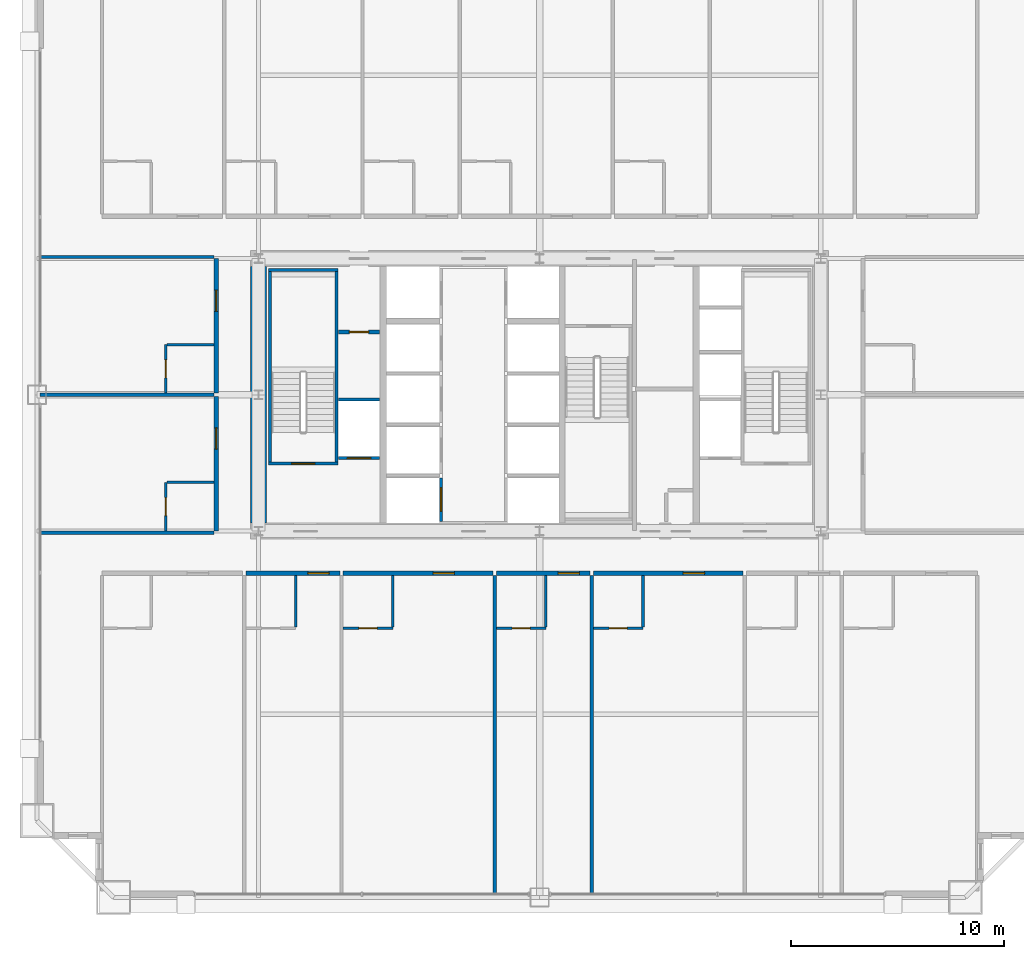
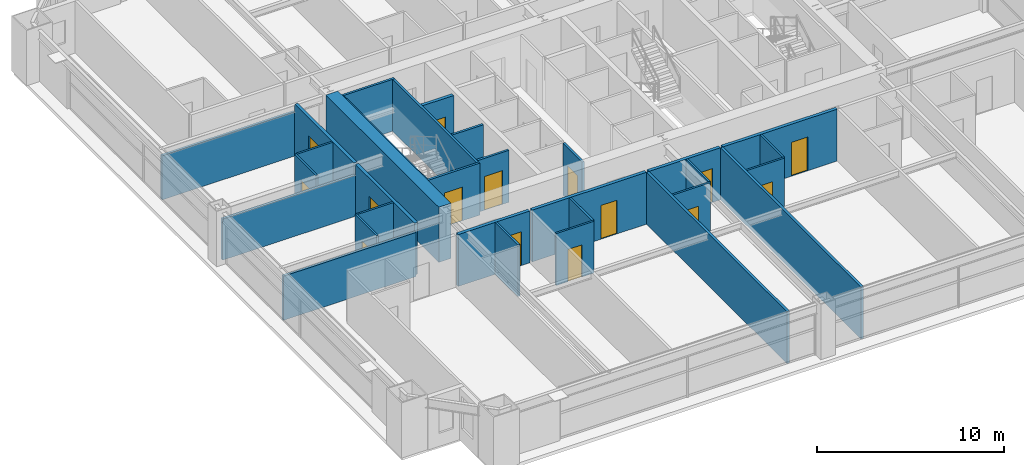
# One storey, part 34 of 38: 31 walls, 15 doors, 15 openings.
"""IFC4 building model written with IfcOpenShell, lengths in metres."""

from ifc_helpers import new_model, si_unit, direction, frame, frame_2d, origin, place, context, subcontext, project, spatial, rectangle, extrude, source, transform, mapped, material, layer, layer_set, type_object, element, fill, save


model = new_model("IFC4")

# Units and contexts
model_context = context("Model", 3, precision=1e-05, world=origin(), true_north=direction((0.0, 1.0)))
body_context = subcontext(model_context, "Body", "Model", "MODEL_VIEW")
ifc_project = project(units=[si_unit("LENGTHUNIT", "METRE"), si_unit("AREAUNIT", "SQUARE_METRE"), si_unit("VOLUMEUNIT", "CUBIC_METRE"), si_unit("PLANEANGLEUNIT", "RADIAN"), si_unit("MASSUNIT", "GRAM", prefix="KILO"), si_unit("THERMODYNAMICTEMPERATUREUNIT", "KELVIN"), si_unit("POWERUNIT", "WATT")], contexts=[model_context])

# Site, building, storey
site_placement = place(None, origin())
site = spatial("IfcSite", under=ifc_project, at=site_placement, CompositionType="ELEMENT")
building_placement = place(site_placement, origin())
building = spatial("IfcBuilding", under=site, at=building_placement, Name="Yuzanri Waterfront Tower", CompositionType="ELEMENT")
storey_placement = place(building_placement, frame((0.0, 0.0, 90.199951171875)))
storey = spatial("IfcBuildingStorey", under=building, at=storey_placement, Name="L23", CompositionType="ELEMENT", Elevation=90.199951171875)

# Wall, opening, door
ifc_material_1 = material(Name="Moisture-Resistant Gypsum Stud Wall", Category="gypsum")
ifc_layer_1 = layer(ifc_material_1, 0.1201171875)
ifc_layer_set_1 = layer_set([ifc_layer_1], Name="Moisture-Resistant Gypsum Stud Wall")
wall_type_1 = type_object("IfcWallType", Name="Bathroom and Kitchen Wet Partition 120", PredefinedType="PARTITIONING", material=ifc_layer_set_1)
wall_1_placement = place(storey_placement, frame((27.77490234375, 14.840087890625, 0.0), z_axis=(0.0, 0.0, 1.0), x_axis=(1.0, 0.0, 0.0)))
wall_1 = element("IfcWall", 1, at=wall_1_placement, inside=storey, type_object=wall_type_1, Name="L23 Partition UW-L23-S3-BS", PredefinedType="PARTITIONING", context=body_context, shape_type="SweptSolid", body=[
    extrude(rectangle(XDim=2.330078125, YDim=0.1201171875, at=frame_2d((1.1650390625, 0.0))), origin(), (0.0, 0.0, 1.0), 3.380126953125),
])
opening_1_placement = place(wall_1_placement, frame((0.739990234375, 0.0, 0.0)))
opening_1 = element("IfcOpeningElement", 2, at=opening_1_placement, cuts=wall_1, Name="Opening ID-0850", PredefinedType="OPENING", context=body_context, shape_type="SweptSolid", body=[
    extrude(rectangle(XDim=0.85009765625, YDim=2.10009765625, at=frame_2d((0.425048828125, 1.050048828125))), frame((0.0, 0.074951171875, 0.0), z_axis=(0.0, -1.0, 0.0), x_axis=(1.0, 0.0, 0.0)), (0.0, 0.0, 1.0), 0.14990234375),
])
ifc_material_2 = material(Name="Moisture-Resistant Lacquered Timber", Category="wood")
door_type_1 = type_object("IfcDoorType", Name="En-Suite Bathroom and Kitchen Swing Door 850x2100", OperationType="NOTDEFINED", PredefinedType="DOOR", material=ifc_material_2)
shared_shape_1 = source(origin(), body_context, "Body", "SweptSolid", [
    extrude(rectangle(XDim=0.85009765625, YDim=2.10009765625, at=frame_2d((0.425048828125, 1.050048828125))), frame((0.0, 0.02490234375, 0.0), z_axis=(0.0, -1.0, 0.0), x_axis=(1.0, 0.0, 0.0)), (0.0, 0.0, 1.0), 0.050048828125),
])
door_1_placement = place(opening_1_placement, origin())
door_1 = element("IfcDoor", 3, at=door_1_placement, inside=storey, type_object=door_type_1, Name="L23 Guest En-Suite Door", OperationType="SINGLE_SWING_LEFT", OverallHeight=2.10009765625, OverallWidth=0.85009765625, PredefinedType="DOOR", context=body_context, shape_type="MappedRepresentation", body=[
    mapped(shared_shape_1, transform((0.0, 0.0, 0.0), scale=1.0)),
])
fill(opening_1, door_1)

wall_2_placement = place(storey_placement, frame((34.965087890625, 14.840087890625, 0.0), z_axis=(0.0, 0.0, 1.0), x_axis=(1.0, 0.0, 0.0)))
wall_2 = element("IfcWall", 4, at=wall_2_placement, inside=storey, type_object=wall_type_1, Name="L23 Partition UW-L23-S4-BS", PredefinedType="PARTITIONING", context=body_context, shape_type="SweptSolid", body=[
    extrude(rectangle(XDim=2.328857421875, YDim=0.1201171875, at=frame_2d((1.16455078125, 0.0))), origin(), (0.0, 0.0, 1.0), 3.380126953125),
])
opening_2_placement = place(wall_2_placement, frame((0.739501953125, 0.0, 0.0)))
opening_2 = element("IfcOpeningElement", 5, at=opening_2_placement, cuts=wall_2, Name="Opening ID-0850", PredefinedType="OPENING", context=body_context, shape_type="SweptSolid", body=[
    extrude(rectangle(XDim=0.85009765625, YDim=2.10009765625, at=frame_2d((0.425048828125, 1.050048828125))), frame((0.0, 0.074951171875, 0.0), z_axis=(0.0, -1.0, 0.0), x_axis=(1.0, 0.0, 0.0)), (0.0, 0.0, 1.0), 0.14990234375),
])
door_2_placement = place(opening_2_placement, origin())
door_2 = element("IfcDoor", 6, at=door_2_placement, inside=storey, type_object=door_type_1, Name="L23 Guest En-Suite Door", OperationType="SINGLE_SWING_LEFT", OverallHeight=2.10009765625, OverallWidth=0.85009765625, PredefinedType="DOOR", context=body_context, shape_type="MappedRepresentation", body=[
    mapped(shared_shape_1, transform((0.0, 0.0, 0.0), scale=1.0)),
])
fill(opening_2, door_2)

wall_3_placement = place(storey_placement, frame((39.52392578125, 14.840087890625, 0.0), z_axis=(0.0, 0.0, 1.0), x_axis=(1.0, 0.0, 0.0)))
wall_3 = element("IfcWall", 7, at=wall_3_placement, inside=storey, type_object=wall_type_1, Name="L23 Partition UW-L23-S5-BS", PredefinedType="PARTITIONING", context=body_context, shape_type="SweptSolid", body=[
    extrude(rectangle(XDim=2.330078125, YDim=0.1201171875, at=frame_2d((1.1650390625, 0.0))), origin(), (0.0, 0.0, 1.0), 3.380126953125),
])
opening_3_placement = place(wall_3_placement, frame((0.739990234375, 0.0, 0.0)))
opening_3 = element("IfcOpeningElement", 8, at=opening_3_placement, cuts=wall_3, Name="Opening ID-0850", PredefinedType="OPENING", context=body_context, shape_type="SweptSolid", body=[
    extrude(rectangle(XDim=0.85009765625, YDim=2.10009765625, at=frame_2d((0.425048828125, 1.050048828125))), frame((0.0, 0.074951171875, 0.0), z_axis=(0.0, -1.0, 0.0), x_axis=(1.0, 0.0, 0.0)), (0.0, 0.0, 1.0), 0.14990234375),
])
door_3_placement = place(opening_3_placement, origin())
door_3 = element("IfcDoor", 9, at=door_3_placement, inside=storey, type_object=door_type_1, Name="L23 Guest En-Suite Door", OperationType="SINGLE_SWING_LEFT", OverallHeight=2.10009765625, OverallWidth=0.85009765625, PredefinedType="DOOR", context=body_context, shape_type="MappedRepresentation", body=[
    mapped(shared_shape_1, transform((0.0, 0.0, 0.0), scale=1.0)),
])
fill(opening_3, door_3)

wall_4_placement = place(storey_placement, frame((19.43994140625, 19.409912109375, 0.0), z_axis=(0.0, 0.0, 1.0), x_axis=(0.0, 1.0, 0.0)))
wall_4 = element("IfcWall", 10, at=wall_4_placement, inside=storey, type_object=wall_type_1, Name="L23 Partition UW-L23-W1-BW", PredefinedType="PARTITIONING", context=body_context, shape_type="SweptSolid", body=[
    extrude(rectangle(XDim=2.280029296875, YDim=0.1201171875, at=frame_2d((1.14013671875, 0.0))), origin(), (0.0, 0.0, 1.0), 3.380126953125),
])
opening_4_placement = place(wall_4_placement, frame((0.715087890625, 0.0, 0.0)))
opening_4 = element("IfcOpeningElement", 11, at=opening_4_placement, cuts=wall_4, Name="Opening ID-0850", PredefinedType="OPENING", context=body_context, shape_type="SweptSolid", body=[
    extrude(rectangle(XDim=0.85009765625, YDim=2.10009765625, at=frame_2d((0.425048828125, 1.050048828125))), frame((0.0, 0.074951171875, 0.0), z_axis=(0.0, -1.0, 0.0), x_axis=(1.0, 0.0, 0.0)), (0.0, 0.0, 1.0), 0.14990234375),
])
door_4_placement = place(opening_4_placement, origin())
door_4 = element("IfcDoor", 12, at=door_4_placement, inside=storey, type_object=door_type_1, Name="L23 Guest En-Suite Door", OperationType="SINGLE_SWING_LEFT", OverallHeight=2.10009765625, OverallWidth=0.85009765625, PredefinedType="DOOR", context=body_context, shape_type="MappedRepresentation", body=[
    mapped(shared_shape_1, transform((0.0, 0.0, 0.0), scale=1.0)),
])
fill(opening_4, door_4)

wall_5_placement = place(storey_placement, frame((19.43994140625, 25.8798828125, 0.0), z_axis=(0.0, 0.0, 1.0), x_axis=(0.0, 1.0, 0.0)))
wall_5 = element("IfcWall", 13, at=wall_5_placement, inside=storey, type_object=wall_type_1, Name="L23 Partition UW-L23-W2-BW", PredefinedType="PARTITIONING", context=body_context, shape_type="SweptSolid", body=[
    extrude(rectangle(XDim=2.280029296875, YDim=0.1201171875, at=frame_2d((1.14013671875, 0.0))), origin(), (0.0, 0.0, 1.0), 3.380126953125),
])
opening_5_placement = place(wall_5_placement, frame((0.715087890625, 0.0, 0.0)))
opening_5 = element("IfcOpeningElement", 14, at=opening_5_placement, cuts=wall_5, Name="Opening ID-0850", PredefinedType="OPENING", context=body_context, shape_type="SweptSolid", body=[
    extrude(rectangle(XDim=0.85009765625, YDim=2.10009765625, at=frame_2d((0.425048828125, 1.050048828125))), frame((0.0, 0.074951171875, 0.0), z_axis=(0.0, -1.0, 0.0), x_axis=(1.0, 0.0, 0.0)), (0.0, 0.0, 1.0), 0.14990234375),
])
door_5_placement = place(opening_5_placement, origin())
door_5 = element("IfcDoor", 15, at=door_5_placement, inside=storey, type_object=door_type_1, Name="L23 Guest En-Suite Door", OperationType="SINGLE_SWING_LEFT", OverallHeight=2.10009765625, OverallWidth=0.85009765625, PredefinedType="DOOR", context=body_context, shape_type="MappedRepresentation", body=[
    mapped(shared_shape_1, transform((0.0, 0.0, 0.0), scale=1.0)),
])
fill(opening_5, door_5)

ifc_material_3 = material(Name="Concrete C40", Category="concrete")
ifc_layer_2 = layer(ifc_material_3, 0.139892578125)
ifc_layer_set_2 = layer_set([ifc_layer_2], Name="Concrete C40")
wall_type_2 = type_object("IfcWallType", Name="Core Stair Liner and Hoistway Shaft Wall 140", PredefinedType="SOLIDWALL", material=ifc_layer_set_2)
wall_6_placement = place(storey_placement, frame((27.56005859375, 22.830078125, 0.0), z_axis=(0.0, 0.0, 1.0), x_axis=(1.0, 0.0, 0.0)))
wall_6 = element("IfcWall", 16, at=wall_6_placement, inside=storey, type_object=wall_type_2, Name="L23 Lift FL-01 Front Shaft Wall", PredefinedType="SOLIDWALL", context=body_context, shape_type="SweptSolid", body=[
    extrude(rectangle(XDim=1.919921875, YDim=0.139892578125, at=frame_2d((0.9599609375, 0.0))), origin(), (0.0, 0.0, 1.0), 3.380126953125),
])
opening_6_placement = place(wall_6_placement, frame((0.409912109375, 0.0, 0.0)))
opening_6 = element("IfcOpeningElement", 17, at=opening_6_placement, cuts=wall_6, Name="Opening LD-FL-01", PredefinedType="OPENING", context=body_context, shape_type="SweptSolid", body=[
    extrude(rectangle(XDim=1.10009765625, YDim=2.199951171875, at=frame_2d((0.550048828125, 1.10009765625))), frame((0.0, 0.0849609375, 0.0), z_axis=(0.0, -1.0, 0.0), x_axis=(1.0, 0.0, 0.0)), (0.0, 0.0, 1.0), 0.169677734375),
])
ifc_material_4 = material(Name="Brushed Bronze and Stainless Steel Cab", Category="steel")
door_type_2 = type_object("IfcDoorType", Name="Center-Parting Bronze Lift Landing Sliding Door 1100x2200", OperationType="NOTDEFINED", PredefinedType="DOOR", material=ifc_material_4)
shared_shape_2 = source(origin(), body_context, "Body", "SweptSolid", [
    extrude(rectangle(XDim=1.10009765625, YDim=2.199951171875, at=frame_2d((0.550048828125, 1.10009765625))), frame((0.0, 0.02490234375, 0.0), z_axis=(0.0, -1.0, 0.0), x_axis=(1.0, 0.0, 0.0)), (0.0, 0.0, 1.0), 0.050048828125),
])
door_6_placement = place(opening_6_placement, origin())
door_6 = element("IfcDoor", 18, at=door_6_placement, inside=storey, type_object=door_type_2, Name="L23 FL-01 Lift Landing Sliding Door", OperationType="SLIDING_TO_LEFT", OverallHeight=2.199951171875, OverallWidth=1.10009765625, PredefinedType="DOOR", context=body_context, shape_type="MappedRepresentation", body=[
    mapped(shared_shape_2, transform((0.0, 0.0, 0.0), scale=1.0)),
])
fill(opening_6, door_6)

wall_7_placement = place(storey_placement, frame((32.3701171875, 19.860107421875, 0.0), z_axis=(0.0, 0.0, 1.0), x_axis=(0.0, 1.0, 0.0)))
wall_7 = element("IfcWall", 19, at=wall_7_placement, inside=storey, type_object=wall_type_2, Name="L23 Lift PL-01 Front Shaft Wall", PredefinedType="SOLIDWALL", context=body_context, shape_type="SweptSolid", body=[
    extrude(rectangle(XDim=2.039794921875, YDim=0.139892578125, at=frame_2d((1.02001953125, 0.0))), origin(), (0.0, 0.0, 1.0), 3.380126953125),
])
opening_7_placement = place(wall_7_placement, frame((0.469970703125, 0.0, 0.0)))
opening_7 = element("IfcOpeningElement", 20, at=opening_7_placement, cuts=wall_7, Name="Opening LD-PL-01", PredefinedType="OPENING", context=body_context, shape_type="SweptSolid", body=[
    extrude(rectangle(XDim=1.10009765625, YDim=2.199951171875, at=frame_2d((0.550048828125, 1.10009765625))), frame((0.0, 0.0849609375, 0.0), z_axis=(0.0, -1.0, 0.0), x_axis=(1.0, 0.0, 0.0)), (0.0, 0.0, 1.0), 0.169677734375),
])
door_7_placement = place(opening_7_placement, origin())
door_7 = element("IfcDoor", 21, at=door_7_placement, inside=storey, type_object=door_type_2, Name="L23 PL-01 Lift Landing Sliding Door", OperationType="SLIDING_TO_LEFT", OverallHeight=2.199951171875, OverallWidth=1.10009765625, PredefinedType="DOOR", context=body_context, shape_type="MappedRepresentation", body=[
    mapped(shared_shape_2, transform((0.0, 0.0, 0.0), scale=1.0)),
])
fill(opening_7, door_7)

wall_8_placement = place(storey_placement, frame((24.260009765625, 22.570068359375, 0.0), z_axis=(0.0, 0.0, 1.0), x_axis=(1.0, 0.0, 0.0)))
wall_8 = element("IfcWall", 22, at=wall_8_placement, inside=storey, type_object=wall_type_2, Name="L23 Shaft Wall STW-L23-ST-01-S", PredefinedType="SOLIDWALL", context=body_context, shape_type="SweptSolid", body=[
    extrude(rectangle(XDim=3.280029296875, YDim=0.139892578125, at=frame_2d((1.64013671875, 0.0))), origin(), (0.0, 0.0, 1.0), 3.380126953125),
])
opening_8_placement = place(wall_8_placement, frame((1.090087890625, 0.0, 0.0)))
opening_8 = element("IfcOpeningElement", 23, at=opening_8_placement, cuts=wall_8, Name="Opening FD-1100", PredefinedType="OPENING", context=body_context, shape_type="SweptSolid", body=[
    extrude(rectangle(XDim=1.10009765625, YDim=2.199951171875, at=frame_2d((0.550048828125, 1.10009765625))), frame((0.0, 0.0849609375, 0.0), z_axis=(0.0, -1.0, 0.0), x_axis=(1.0, 0.0, 0.0)), (0.0, 0.0, 1.0), 0.169677734375),
])
ifc_material_5 = material(Name="Painted Galvanized Fire Steel", Category="steel")
door_type_3 = type_object("IfcDoorType", Name="Smoke-Proof Stair and Lobby Fire Door 1100x2200", OperationType="NOTDEFINED", PredefinedType="DOOR", material=ifc_material_5)
shared_shape_3 = source(origin(), body_context, "Body", "SweptSolid", [
    extrude(rectangle(XDim=1.10009765625, YDim=2.199951171875, at=frame_2d((0.550048828125, 1.10009765625))), frame((0.0, 0.02490234375, 0.0), z_axis=(0.0, -1.0, 0.0), x_axis=(1.0, 0.0, 0.0)), (0.0, 0.0, 1.0), 0.050048828125),
])
door_8_placement = place(opening_8_placement, origin())
door_8 = element("IfcDoor", 24, at=door_8_placement, inside=storey, type_object=door_type_3, Name="L23 Stair ST-01 Fire Door", OperationType="SINGLE_SWING_LEFT", OverallHeight=2.199951171875, OverallWidth=1.10009765625, PredefinedType="DOOR", context=body_context, shape_type="MappedRepresentation", body=[
    mapped(shared_shape_3, transform((0.0, 0.0, 0.0), scale=1.0)),
])
fill(opening_8, door_8)

ifc_material_6 = material(Name="Autoclaved Aerated Concrete Blockwork", Category="masonry")
ifc_layer_3 = layer(ifc_material_6, 0.199951171875)
ifc_layer_set_3 = layer_set([ifc_layer_3], Name="Autoclaved Aerated Concrete Blockwork")
wall_type_3 = type_object("IfcWallType", Name="Corridor and Unit Party Fire Wall 200", PredefinedType="PARTITIONING", material=ifc_layer_set_3)
wall_9_placement = place(storey_placement, frame((27.56005859375, 28.75, 0.0), z_axis=(0.0, 0.0, 1.0), x_axis=(1.0, 0.0, 0.0)))
wall_9 = element("IfcWall", 25, at=wall_9_placement, inside=storey, type_object=wall_type_3, Name="L23 Partition CRW-L23-ERTR", PredefinedType="PARTITIONING", context=body_context, shape_type="SweptSolid", body=[
    extrude(rectangle(XDim=1.919921875, YDim=0.199951171875, at=frame_2d((0.9599609375, 0.0))), origin(), (0.0, 0.0, 1.0), 3.380126953125),
])
opening_9_placement = place(wall_9_placement, frame((0.510009765625, 0.0, 0.0)))
opening_9 = element("IfcOpeningElement", 26, at=opening_9_placement, cuts=wall_9, Name="Opening FD-0900", PredefinedType="OPENING", context=body_context, shape_type="SweptSolid", body=[
    extrude(rectangle(XDim=0.89990234375, YDim=2.14990234375, at=frame_2d((0.449951171875, 1.074951171875))), frame((0.0, 0.11474609375, 0.0), z_axis=(0.0, -1.0, 0.0), x_axis=(1.0, 0.0, 0.0)), (0.0, 0.0, 1.0), 0.229736328125),
])
ifc_material_7 = material(Name="Painted Galvanized Fire Steel", Category="steel")
door_type_4 = type_object("IfcDoorType", Name="Riser and Service Room Fire Door 900x2150", OperationType="NOTDEFINED", PredefinedType="DOOR", material=ifc_material_7)
shared_shape_4 = source(origin(), body_context, "Body", "SweptSolid", [
    extrude(rectangle(XDim=0.89990234375, YDim=2.14990234375, at=frame_2d((0.449951171875, 1.074951171875))), frame((0.0, 0.02490234375, 0.0), z_axis=(0.0, -1.0, 0.0), x_axis=(1.0, 0.0, 0.0)), (0.0, 0.0, 1.0), 0.050048828125),
])
door_9_placement = place(opening_9_placement, origin())
door_9 = element("IfcDoor", 27, at=door_9_placement, inside=storey, type_object=door_type_4, Name="L23 Electrical Riser Door", OperationType="SINGLE_SWING_RIGHT", OverallHeight=2.14990234375, OverallWidth=0.89990234375, PredefinedType="DOOR", context=body_context, shape_type="MappedRepresentation", body=[
    mapped(shared_shape_4, transform((0.0, 0.0, 0.0), scale=1.0)),
])
fill(opening_9, door_9)

wall_10_placement = place(storey_placement, frame((23.217041015625, 17.419921875, 0.0), z_axis=(0.0, 0.0, 1.0), x_axis=(1.0, 0.0, 0.0)))
wall_10 = element("IfcWall", 28, at=wall_10_placement, inside=storey, type_object=wall_type_3, Name="L23 Partition UW-L23-S2-CN", PredefinedType="PARTITIONING", context=body_context, shape_type="SweptSolid", body=[
    extrude(rectangle(XDim=4.39794921875, YDim=0.199951171875, at=frame_2d((2.198974609375, 0.0))), origin(), (0.0, 0.0, 1.0), 3.380126953125),
])
opening_10_placement = place(wall_10_placement, frame((2.903076171875, 0.0, 0.0)))
opening_10 = element("IfcOpeningElement", 29, at=opening_10_placement, cuts=wall_10, Name="Opening FD-1000", PredefinedType="OPENING", context=body_context, shape_type="SweptSolid", body=[
    extrude(rectangle(XDim=1.0, YDim=2.199951171875, at=frame_2d((0.5, 1.10009765625))), frame((0.0, 0.11474609375, 0.0), z_axis=(0.0, -1.0, 0.0), x_axis=(1.0, 0.0, 0.0)), (0.0, 0.0, 1.0), 0.229736328125),
])
ifc_material_8 = material(Name="Engineered Oak Fire-Rated Timber", Category="wood")
door_type_5 = type_object("IfcDoorType", Name="Guestroom and Apartment Entrance Fire Door 1000x2200", OperationType="NOTDEFINED", PredefinedType="DOOR", material=ifc_material_8)
shared_shape_5 = source(origin(), body_context, "Body", "SweptSolid", [
    extrude(rectangle(XDim=1.0, YDim=2.199951171875, at=frame_2d((0.5, 1.10009765625))), frame((0.0, 0.02490234375, 0.0), z_axis=(0.0, -1.0, 0.0), x_axis=(1.0, 0.0, 0.0)), (0.0, 0.0, 1.0), 0.050048828125),
])
door_10_placement = place(opening_10_placement, origin())
door_10 = element("IfcDoor", 30, at=door_10_placement, inside=storey, type_object=door_type_5, Name="L23 Superior King Guest Room Entrance Door", OperationType="SINGLE_SWING_RIGHT", OverallHeight=2.199951171875, OverallWidth=1.0, PredefinedType="DOOR", context=body_context, shape_type="MappedRepresentation", body=[
    mapped(shared_shape_5, transform((0.0, 0.0, 0.0), scale=1.0)),
])
fill(opening_10, door_10)

wall_11_placement = place(storey_placement, frame((27.77490234375, 17.419921875, 0.0), z_axis=(0.0, 0.0, 1.0), x_axis=(1.0, 0.0, 0.0)))
wall_11 = element("IfcWall", 31, at=wall_11_placement, inside=storey, type_object=wall_type_3, Name="L23 Partition UW-L23-S3-CN", PredefinedType="PARTITIONING", context=body_context, shape_type="SweptSolid", body=[
    extrude(rectangle(XDim=7.030029296875, YDim=0.199951171875, at=frame_2d((3.51513671875, 0.0))), origin(), (0.0, 0.0, 1.0), 3.380126953125),
])
opening_11_placement = place(wall_11_placement, frame((4.219970703125, 0.0, 0.0)))
opening_11 = element("IfcOpeningElement", 32, at=opening_11_placement, cuts=wall_11, Name="Opening FD-1000", PredefinedType="OPENING", context=body_context, shape_type="SweptSolid", body=[
    extrude(rectangle(XDim=1.0, YDim=2.199951171875, at=frame_2d((0.5, 1.10009765625))), frame((0.0, 0.11474609375, 0.0), z_axis=(0.0, -1.0, 0.0), x_axis=(1.0, 0.0, 0.0)), (0.0, 0.0, 1.0), 0.229736328125),
])
door_11_placement = place(opening_11_placement, origin())
door_11 = element("IfcDoor", 33, at=door_11_placement, inside=storey, type_object=door_type_5, Name="L23 Superior King Junior Suite Entrance Door", OperationType="SINGLE_SWING_RIGHT", OverallHeight=2.199951171875, OverallWidth=1.0, PredefinedType="DOOR", context=body_context, shape_type="MappedRepresentation", body=[
    mapped(shared_shape_5, transform((0.0, 0.0, 0.0), scale=1.0)),
])
fill(opening_11, door_11)

wall_12_placement = place(storey_placement, frame((34.965087890625, 17.419921875, 0.0), z_axis=(0.0, 0.0, 1.0), x_axis=(1.0, 0.0, 0.0)))
wall_12 = element("IfcWall", 34, at=wall_12_placement, inside=storey, type_object=wall_type_3, Name="L23 Partition UW-L23-S4-CN", PredefinedType="PARTITIONING", context=body_context, shape_type="SweptSolid", body=[
    extrude(rectangle(XDim=4.39892578125, YDim=0.199951171875, at=frame_2d((2.199462890625, 0.0))), origin(), (0.0, 0.0, 1.0), 3.380126953125),
])
opening_12_placement = place(wall_12_placement, frame((2.904052734375, 0.0, 0.0)))
opening_12 = element("IfcOpeningElement", 35, at=opening_12_placement, cuts=wall_12, Name="Opening FD-1000", PredefinedType="OPENING", context=body_context, shape_type="SweptSolid", body=[
    extrude(rectangle(XDim=1.0, YDim=2.199951171875, at=frame_2d((0.5, 1.10009765625))), frame((0.0, 0.11474609375, 0.0), z_axis=(0.0, -1.0, 0.0), x_axis=(1.0, 0.0, 0.0)), (0.0, 0.0, 1.0), 0.229736328125),
])
door_12_placement = place(opening_12_placement, origin())
door_12 = element("IfcDoor", 36, at=door_12_placement, inside=storey, type_object=door_type_5, Name="L23 Superior King Guest Room Entrance Door", OperationType="SINGLE_SWING_RIGHT", OverallHeight=2.199951171875, OverallWidth=1.0, PredefinedType="DOOR", context=body_context, shape_type="MappedRepresentation", body=[
    mapped(shared_shape_5, transform((0.0, 0.0, 0.0), scale=1.0)),
])
fill(opening_12, door_12)

wall_13_placement = place(storey_placement, frame((39.52392578125, 17.419921875, 0.0), z_axis=(0.0, 0.0, 1.0), x_axis=(1.0, 0.0, 0.0)))
wall_13 = element("IfcWall", 37, at=wall_13_placement, inside=storey, type_object=wall_type_3, Name="L23 Partition UW-L23-S5-CN", PredefinedType="PARTITIONING", context=body_context, shape_type="SweptSolid", body=[
    extrude(rectangle(XDim=7.030029296875, YDim=0.199951171875, at=frame_2d((3.51513671875, 0.0))), origin(), (0.0, 0.0, 1.0), 3.380126953125),
])
opening_13_placement = place(wall_13_placement, frame((4.219970703125, 0.0, 0.0)))
opening_13 = element("IfcOpeningElement", 38, at=opening_13_placement, cuts=wall_13, Name="Opening FD-1000", PredefinedType="OPENING", context=body_context, shape_type="SweptSolid", body=[
    extrude(rectangle(XDim=1.0, YDim=2.199951171875, at=frame_2d((0.5, 1.10009765625))), frame((0.0, 0.11474609375, 0.0), z_axis=(0.0, -1.0, 0.0), x_axis=(1.0, 0.0, 0.0)), (0.0, 0.0, 1.0), 0.229736328125),
])
door_13_placement = place(opening_13_placement, origin())
door_13 = element("IfcDoor", 39, at=door_13_placement, inside=storey, type_object=door_type_5, Name="L23 Superior King Junior Suite Entrance Door", OperationType="SINGLE_SWING_RIGHT", OverallHeight=2.199951171875, OverallWidth=1.0, PredefinedType="DOOR", context=body_context, shape_type="MappedRepresentation", body=[
    mapped(shared_shape_5, transform((0.0, 0.0, 0.0), scale=1.0)),
])
fill(opening_13, door_13)

wall_14_placement = place(storey_placement, frame((21.820068359375, 19.409912109375, 0.0), z_axis=(0.0, 0.0, 1.0), x_axis=(0.0, 1.0, 0.0)))
wall_14 = element("IfcWall", 40, at=wall_14_placement, inside=storey, type_object=wall_type_3, Name="L23 Partition UW-L23-W1-CW", PredefinedType="PARTITIONING", context=body_context, shape_type="SweptSolid", body=[
    extrude(rectangle(XDim=6.31005859375, YDim=0.199951171875, at=frame_2d((3.155029296875, 0.0))), origin(), (0.0, 0.0, 1.0), 3.380126953125),
])
opening_14_placement = place(wall_14_placement, frame((3.8349609375, 0.0, 0.0)))
opening_14 = element("IfcOpeningElement", 41, at=opening_14_placement, cuts=wall_14, Name="Opening FD-1000", PredefinedType="OPENING", context=body_context, shape_type="SweptSolid", body=[
    extrude(rectangle(XDim=1.0, YDim=2.199951171875, at=frame_2d((0.5, 1.10009765625))), frame((0.0, 0.11474609375, 0.0), z_axis=(0.0, -1.0, 0.0), x_axis=(1.0, 0.0, 0.0)), (0.0, 0.0, 1.0), 0.229736328125),
])
door_14_placement = place(opening_14_placement, origin())
door_14 = element("IfcDoor", 42, at=door_14_placement, inside=storey, type_object=door_type_5, Name="L23 West Suite Entrance Door", OperationType="SINGLE_SWING_RIGHT", OverallHeight=2.199951171875, OverallWidth=1.0, PredefinedType="DOOR", context=body_context, shape_type="MappedRepresentation", body=[
    mapped(shared_shape_5, transform((0.0, 0.0, 0.0), scale=1.0)),
])
fill(opening_14, door_14)

wall_15_placement = place(storey_placement, frame((21.820068359375, 25.8798828125, 0.0), z_axis=(0.0, 0.0, 1.0), x_axis=(0.0, 1.0, 0.0)))
wall_15 = element("IfcWall", 43, at=wall_15_placement, inside=storey, type_object=wall_type_3, Name="L23 Partition UW-L23-W2-CW", PredefinedType="PARTITIONING", context=body_context, shape_type="SweptSolid", body=[
    extrude(rectangle(XDim=6.31005859375, YDim=0.199951171875, at=frame_2d((3.155029296875, 0.0))), origin(), (0.0, 0.0, 1.0), 3.380126953125),
])
opening_15_placement = place(wall_15_placement, frame((3.8349609375, 0.0, 0.0)))
opening_15 = element("IfcOpeningElement", 44, at=opening_15_placement, cuts=wall_15, Name="Opening FD-1000", PredefinedType="OPENING", context=body_context, shape_type="SweptSolid", body=[
    extrude(rectangle(XDim=1.0, YDim=2.199951171875, at=frame_2d((0.5, 1.10009765625))), frame((0.0, 0.11474609375, 0.0), z_axis=(0.0, -1.0, 0.0), x_axis=(1.0, 0.0, 0.0)), (0.0, 0.0, 1.0), 0.229736328125),
])
door_15_placement = place(opening_15_placement, origin())
door_15 = element("IfcDoor", 45, at=door_15_placement, inside=storey, type_object=door_type_5, Name="L23 West Suite Entrance Door", OperationType="SINGLE_SWING_RIGHT", OverallHeight=2.199951171875, OverallWidth=1.0, PredefinedType="DOOR", context=body_context, shape_type="MappedRepresentation", body=[
    mapped(shared_shape_5, transform((0.0, 0.0, 0.0), scale=1.0)),
])
fill(opening_15, door_15)

# Walls
ifc_material_9 = material(Name="Concrete C55", Category="concrete")
ifc_layer_4 = layer(ifc_material_9, 0.75)
ifc_layer_set_4 = layer_set([ifc_layer_4], Name="Concrete C55")
wall_type_4 = type_object("IfcWallType", Name="Concrete C55 Low-Mid Zone Core Shear Wall 750", PredefinedType="SHEAR", material=ifc_layer_set_4)
shared_shape_6 = source(origin(), body_context, "Body", "SweptSolid", [
    extrude(rectangle(XDim=12.050048828125, YDim=0.75, at=frame_2d((6.02490234375, 0.0))), origin(), (0.0, 0.0, 1.0), 3.60009765625),
])
wall_16_placement = place(storey_placement, frame((23.800048828125, 19.77490234375, 0.0), z_axis=(0.0, 0.0, 1.0), x_axis=(0.0, 1.0, 0.0)))
element("IfcWall", 46, at=wall_16_placement, inside=storey, type_object=wall_type_4, Name="L23 Core West Shear Wall", PredefinedType="SHEAR", context=body_context, shape_type="MappedRepresentation", body=[
    mapped(shared_shape_6, transform((0.0, 0.0, 0.0), scale=1.0)),
])
shared_shape_7 = source(origin(), body_context, "Body", "SweptSolid", [
    extrude(rectangle(XDim=1.919921875, YDim=0.139892578125, at=frame_2d((0.9599609375, 0.0))), origin(), (0.0, 0.0, 1.0), 3.380126953125),
])
wall_17_placement = place(storey_placement, frame((27.56005859375, 25.570068359375, 0.0), z_axis=(0.0, 0.0, 1.0), x_axis=(1.0, 0.0, 0.0)))
element("IfcWall", 47, at=wall_17_placement, inside=storey, type_object=wall_type_2, Name="L23 Lift FL-01 Back Shaft Wall", PredefinedType="SOLIDWALL", context=body_context, shape_type="MappedRepresentation", body=[
    mapped(shared_shape_7, transform((0.0, 0.0, 0.0), scale=1.0)),
])
shared_shape_8 = source(origin(), body_context, "Body", "SweptSolid", [
    extrude(rectangle(XDim=3.280029296875, YDim=0.139892578125, at=frame_2d((1.64013671875, 0.0))), origin(), (0.0, 0.0, 1.0), 3.380126953125),
])
wall_18_placement = place(storey_placement, frame((24.260009765625, 31.64990234375, 0.0), z_axis=(0.0, 0.0, 1.0), x_axis=(1.0, 0.0, 0.0)))
element("IfcWall", 48, at=wall_18_placement, inside=storey, type_object=wall_type_2, Name="L23 Stair ST-01 North Shaft Wall", PredefinedType="SOLIDWALL", context=body_context, shape_type="MappedRepresentation", body=[
    mapped(shared_shape_8, transform((0.0, 0.0, 0.0), scale=1.0)),
])
shared_shape_9 = source(origin(), body_context, "Body", "SweptSolid", [
    extrude(rectangle(XDim=8.940185546875, YDim=0.139892578125, at=frame_2d((4.47021484375, 0.0))), origin(), (0.0, 0.0, 1.0), 3.380126953125),
])
for number, where, z_axis, x_axis, name in (
    (49, (24.330078125, 22.639892578125, 0.0), (0.0, 0.0, 1.0), (0.0, 1.0, 0.0), "L23 Stair ST-01 West Shaft Wall"),
    (50, (27.469970703125, 22.639892578125, 0.0), (0.0, 0.0, 1.0), (0.0, 1.0, 0.0), "L23 Stair ST-01 East Shaft Wall"),
):
    element("IfcWall", number, at=place(storey_placement, frame(where, z_axis=z_axis, x_axis=x_axis)), inside=storey, type_object=wall_type_2, Name=name, PredefinedType="SOLIDWALL", context=body_context, shape_type="MappedRepresentation", body=[
        mapped(shared_shape_9, transform((0.0, 0.0, 0.0), scale=1.0)),
    ])
shared_shape_10 = source(origin(), body_context, "Body", "SweptSolid", [
    extrude(rectangle(XDim=2.420166015625, YDim=0.1201171875, at=frame_2d((1.2099609375, 0.0))), origin(), (0.0, 0.0, 1.0), 3.380126953125),
])
for number, where, z_axis, x_axis, name in (
    (51, (25.544921875, 14.89990234375, 0.0), (0.0, 0.0, 1.0), (0.0, 1.0, 0.0), "L23-S2 En-Suite Side Wall"),
    (52, (30.10498046875, 14.89990234375, 0.0), (0.0, 0.0, 1.0), (0.0, 1.0, 0.0), "L23-S3 En-Suite Side Wall"),
    (53, (37.2939453125, 14.89990234375, 0.0), (0.0, 0.0, 1.0), (0.0, 1.0, 0.0), "L23-S4 En-Suite Side Wall"),
    (54, (41.85400390625, 14.89990234375, 0.0), (0.0, 0.0, 1.0), (0.0, 1.0, 0.0), "L23-S5 En-Suite Side Wall"),
):
    element("IfcWall", number, at=place(storey_placement, frame(where, z_axis=z_axis, x_axis=x_axis)), inside=storey, type_object=wall_type_1, Name=name, PredefinedType="PARTITIONING", context=body_context, shape_type="MappedRepresentation", body=[
        mapped(shared_shape_10, transform((0.0, 0.0, 0.0), scale=1.0)),
    ])
shared_shape_11 = source(origin(), body_context, "Body", "SweptSolid", [
    extrude(rectangle(XDim=2.219970703125, YDim=0.1201171875, at=frame_2d((1.10986328125, 0.0))), origin(), (0.0, 0.0, 1.0), 3.380126953125),
])
for number, where, z_axis, x_axis, name in (
    (55, (19.5, 21.68994140625, 0.0), (0.0, 0.0, 1.0), (1.0, 0.0, 0.0), "L23-W1 En-Suite Top Wall"),
    (56, (19.5, 28.159912109375, 0.0), (0.0, 0.0, 1.0), (1.0, 0.0, 0.0), "L23-W2 En-Suite Top Wall"),
):
    element("IfcWall", number, at=place(storey_placement, frame(where, z_axis=z_axis, x_axis=x_axis)), inside=storey, type_object=wall_type_1, Name=name, PredefinedType="PARTITIONING", context=body_context, shape_type="MappedRepresentation", body=[
        mapped(shared_shape_11, transform((0.0, 0.0, 0.0), scale=1.0)),
    ])
ifc_material_10 = material(Name="Gypsum Fireboard Acoustic Stud Wall", Category="gypsum")
ifc_layer_5 = layer(ifc_material_10, 0.159912109375)
ifc_layer_set_5 = layer_set([ifc_layer_5], Name="Gypsum Fireboard Acoustic Stud Wall")
wall_type_5 = type_object("IfcWallType", Name="Acoustic Suite Demising Partition 160", PredefinedType="PARTITIONING", material=ifc_layer_set_5)
shared_shape_12 = source(origin(), body_context, "Body", "SweptSolid", [
    extrude(rectangle(XDim=14.969970703125, YDim=0.159912109375, at=frame_2d((7.48486328125, 0.0))), origin(), (0.0, 0.0, 1.0), 3.380126953125),
])
for number, where, z_axis, x_axis, name in (
    (57, (34.885009765625, 2.35009765625, 0.0), (0.0, 0.0, 1.0), (0.0, 1.0, 0.0), "L23-S3 Party Wall"),
    (58, (39.444091796875, 2.35009765625, 0.0), (0.0, 0.0, 1.0), (0.0, 1.0, 0.0), "L23-S4 Party Wall"),
):
    element("IfcWall", number, at=place(storey_placement, frame(where, z_axis=z_axis, x_axis=x_axis)), inside=storey, type_object=wall_type_5, Name=name, PredefinedType="PARTITIONING", context=body_context, shape_type="MappedRepresentation", body=[
        mapped(shared_shape_12, transform((0.0, 0.0, 0.0), scale=1.0)),
    ])
shared_shape_13 = source(origin(), body_context, "Body", "SweptSolid", [
    extrude(rectangle(XDim=8.169921875, YDim=0.159912109375, at=frame_2d((4.0849609375, 0.0))), origin(), (0.0, 0.0, 1.0), 2.675048828125),
])
wall_19_placement = place(storey_placement, frame((13.550048828125, 25.800048828125, 0.0), z_axis=(0.0, 0.0, 1.0), x_axis=(1.0, 0.0, 0.0)))
element("IfcWall", 59, at=wall_19_placement, inside=storey, type_object=wall_type_5, Name="L23-W1 Wing Party Wall", PredefinedType="PARTITIONING", context=body_context, shape_type="MappedRepresentation", body=[
    mapped(shared_shape_13, transform((0.0, 0.0, 0.0), scale=1.0)),
])
shared_shape_14 = source(origin(), body_context, "Body", "SweptSolid", [
    extrude(rectangle(XDim=8.169921875, YDim=0.159912109375, at=frame_2d((4.0849609375, 0.0))), origin(), (0.0, 0.0, 1.0), 2.875),
])
for number, where, z_axis, x_axis, name in (
    (60, (13.550048828125, 19.330078125, 0.0), (0.0, 0.0, 1.0), (1.0, 0.0, 0.0), "L23-W1 Wing South End Wall"),
    (61, (13.550048828125, 32.27001953125, 0.0), (0.0, 0.0, 1.0), (1.0, 0.0, 0.0), "L23-W2 Wing North End Wall"),
):
    element("IfcWall", number, at=place(storey_placement, frame(where, z_axis=z_axis, x_axis=x_axis)), inside=storey, type_object=wall_type_5, Name=name, PredefinedType="PARTITIONING", context=body_context, shape_type="MappedRepresentation", body=[
        mapped(shared_shape_14, transform((0.0, 0.0, 0.0), scale=1.0)),
    ])

save(model, "model.ifc")
